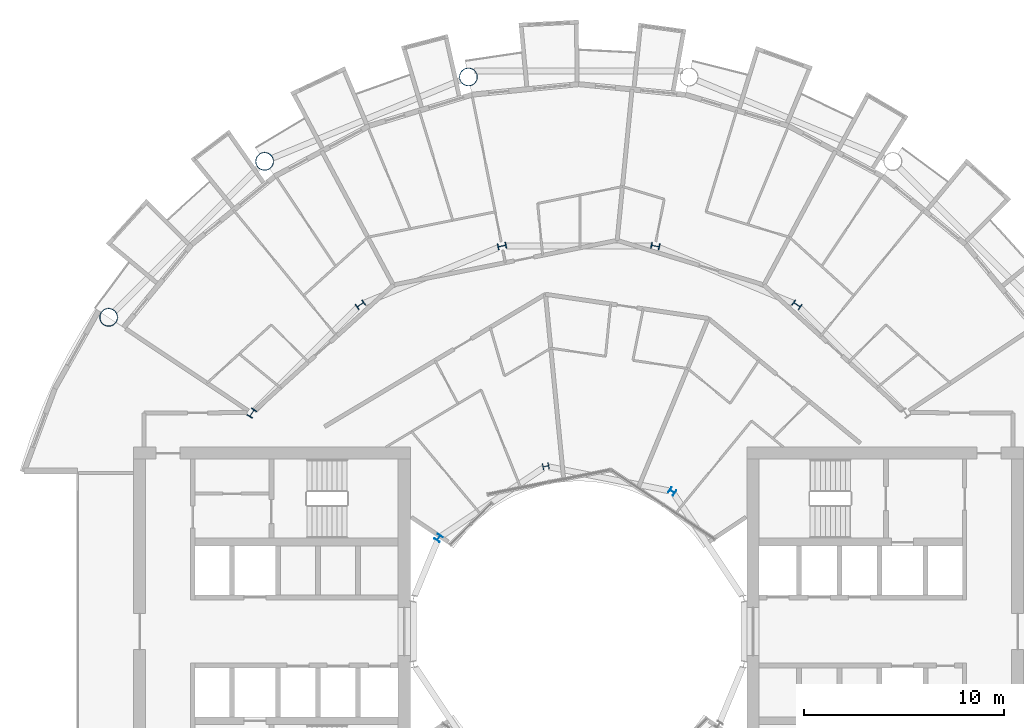
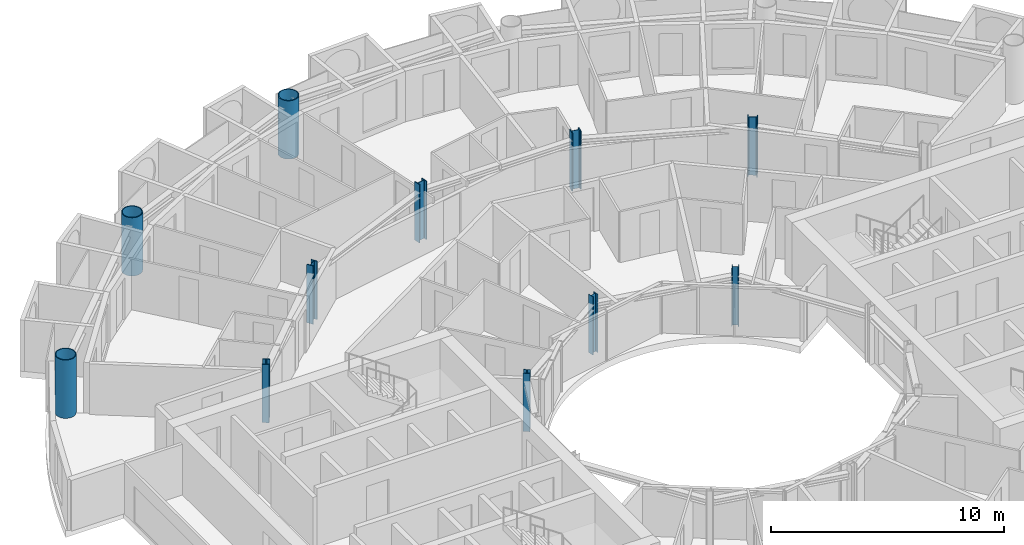
# One storey, part 3 of 27: 11 columns.
"""IFC4 building model written with IfcOpenShell, lengths in metres."""

from ifc_helpers import new_model, si_unit, direction, frame, origin, origin_2d, place, context, subcontext, project, spatial, hollow_circle, i_section, extrude, material, material_profile, profile_set, type_object, element, save


model = new_model("IFC4")

# Units and contexts
model_context = context("Model", 3, precision=1e-05, world=origin(), true_north=direction((0.0, 1.0)))
body_context = subcontext(model_context, "Body", "Model", "MODEL_VIEW")
ifc_project = project(units=[si_unit("LENGTHUNIT", "METRE"), si_unit("AREAUNIT", "SQUARE_METRE"), si_unit("VOLUMEUNIT", "CUBIC_METRE"), si_unit("PLANEANGLEUNIT", "RADIAN"), si_unit("MASSUNIT", "GRAM", prefix="KILO")], contexts=[model_context])

# Site, building, storey
site_placement = place(None, origin())
site = spatial("IfcSite", under=ifc_project, at=site_placement, CompositionType="ELEMENT")
building_placement = place(site_placement, origin())
building = spatial("IfcBuilding", under=site, at=building_placement, Name="Maasbend Ring Residences", CompositionType="ELEMENT")
storey_placement = place(building_placement, frame((0.0, 0.0, 136.050048828125)))
storey = spatial("IfcBuildingStorey", under=building, at=storey_placement, Name="L39", CompositionType="ELEMENT", Elevation=136.050048828125)

# Columns
ifc_material_1 = material(Name="Composite concrete-filled steel tube S460NH / C80/95", Category="concrete")
ifc_material_profile_1 = material_profile(ifc_material_1, hollow_circle(Radius=0.45703125, WallThickness=0.0400390625, at=origin_2d()), Name="Composite tube column CHS 914x40")
ifc_profile_set_1 = profile_set([ifc_material_profile_1], Name="Composite concrete-filled steel tube S460NH / C80/95")
column_type_1 = type_object("IfcColumnType", Name="Composite tube column CHS 914x40", PredefinedType="COLUMN", material=ifc_profile_set_1)
for number, where, z_axis, x_axis, name in (
    (1, (-5.50146484375, 27.658203125, 0.0), (0.0, 0.0, 1.0), (1.0, 0.0, 0.0), "Outer column R5"),
    (2, (-15.6669921875, 23.447509765625, 0.0), (0.0, 0.0, 1.0), (1.0, 0.0, 0.0), "Outer column R6"),
    (3, (-23.447509765625, 15.6669921875, 0.0), (0.0, 0.0, 1.0), (1.0, 0.0, 0.0), "Outer column R7"),
):
    element("IfcColumn", number, at=place(storey_placement, frame(where, z_axis=z_axis, x_axis=x_axis)), inside=storey, type_object=column_type_1, Name=name, PredefinedType="COLUMN", context=body_context, shape_type="SweptSolid", body=[
        extrude(hollow_circle(Radius=0.45703125, WallThickness=0.0400390625, at=origin_2d()), origin(), (0.0, 0.0, 1.0), 3.050048828125),
    ])
ifc_material_2 = material(Name="Steel S355J2", Category="steel")
ifc_material_profile_2 = material_profile(ifc_material_2, i_section(OverallWidth=0.300048828125, OverallDepth=0.300048828125, WebThickness=0.010986328125, FlangeThickness=0.01904296875, FilletRadius=0.027099609375, at=origin_2d()), Name="HEB 300")
ifc_profile_set_2 = profile_set([ifc_material_profile_2], Name="Steel S355J2")
column_type_2 = type_object("IfcColumnType", Name="Steel column HEB 300", PredefinedType="COLUMN", material=ifc_profile_set_2)
for number, where, z_axis, x_axis, name in (
    (4, (4.666748046875, 6.984375, 0.0), (0.0, 0.0, 1.0), (0.55557023302, 0.831469612303, 0.0), "Well ring column R3"),
    (5, (-1.638916015625, 8.238525390625, 0.0), (0.0, 0.0, 1.0), (-0.195090322016, 0.980785280403, 0.0), "Well ring column R5"),
    (6, (-6.984375, 4.666748046875, 0.0), (0.0, 0.0, 1.0), (-0.831469612303, 0.55557023302, 0.0), "Well ring column R7"),
):
    element("IfcColumn", number, at=place(storey_placement, frame(where, z_axis=z_axis, x_axis=x_axis)), inside=storey, type_object=column_type_2, Name=name, PredefinedType="COLUMN", context=body_context, shape_type="SweptSolid", body=[
        extrude(i_section(OverallWidth=0.300048828125, OverallDepth=0.300048828125, WebThickness=0.010986328125, FlangeThickness=0.01904296875, FilletRadius=0.027099609375, at=origin_2d()), origin(), (0.0, 0.0, 1.0), 3.050048828125),
    ])
ifc_material_3 = material(Name="Steel S460M", Category="steel")
ifc_material_profile_3 = material_profile(ifc_material_3, i_section(OverallWidth=0.306884765625, OverallDepth=0.431884765625, WebThickness=0.02099609375, FlangeThickness=0.0400390625, FilletRadius=0.027099609375, at=origin_2d()), Name="HEM 400")
ifc_profile_set_3 = profile_set([ifc_material_profile_3], Name="Steel S460M")
column_type_3 = type_object("IfcColumnType", Name="Steel column HEM 400", PredefinedType="COLUMN", material=ifc_profile_set_3)
for number, where, z_axis, x_axis, name in (
    (7, (10.88916015625, 16.296875, 0.0), (0.0, 0.0, 1.0), (0.55557023302, 0.831469612303, 0.0), "Corridor ring column R3"),
    (8, (3.82373046875, 19.223388671875, 0.0), (0.0, 0.0, 1.0), (0.195090322016, 0.980785280403, 0.0), "Corridor ring column R4"),
    (9, (-3.82373046875, 19.223388671875, 0.0), (0.0, 0.0, 1.0), (-0.195090322016, 0.980785280403, 0.0), "Corridor ring column R5"),
    (10, (-10.88916015625, 16.296875, 0.0), (0.0, 0.0, 1.0), (-0.55557023302, 0.831469612303, 0.0), "Corridor ring column R6"),
    (11, (-16.296875, 10.88916015625, 0.0), (0.0, 0.0, 1.0), (-0.831469612303, 0.55557023302, 0.0), "Corridor ring column R7"),
):
    element("IfcColumn", number, at=place(storey_placement, frame(where, z_axis=z_axis, x_axis=x_axis)), inside=storey, type_object=column_type_3, Name=name, PredefinedType="COLUMN", context=body_context, shape_type="SweptSolid", body=[
        extrude(i_section(OverallWidth=0.306884765625, OverallDepth=0.431884765625, WebThickness=0.02099609375, FlangeThickness=0.0400390625, FilletRadius=0.027099609375, at=origin_2d()), origin(), (0.0, 0.0, 1.0), 3.050048828125),
    ])

save(model, "model.ifc")
